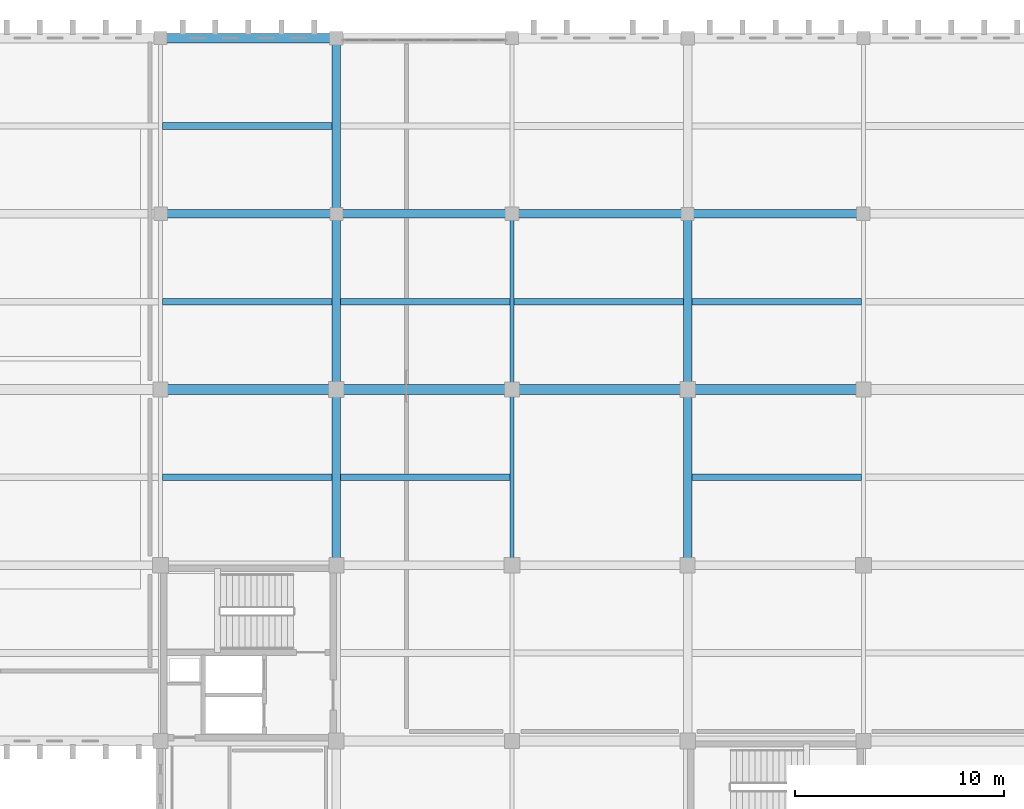
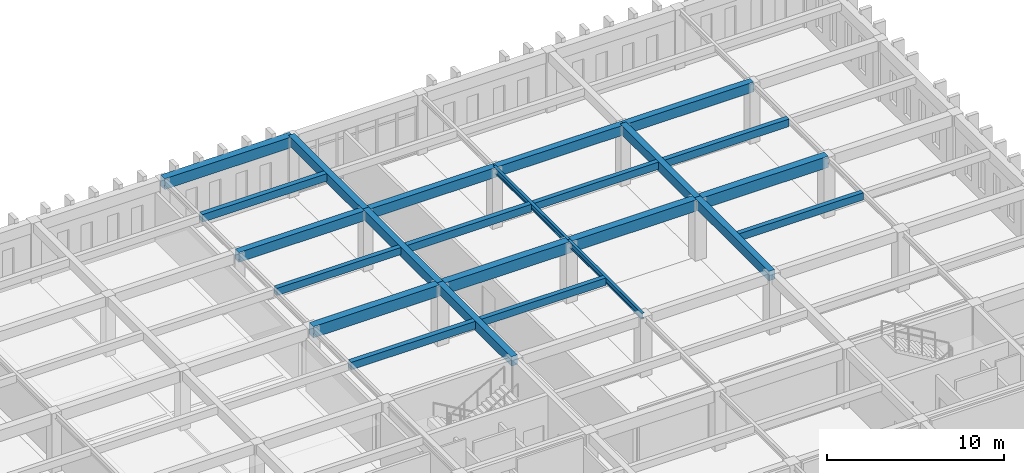
# One storey, part 108 of 192: 24 beams.
"""IFC4 building model written with IfcOpenShell, lengths in metres."""

import ifcopenshell
import ifcopenshell.guid

model = None  # the IFC model being written
_history = None  # IfcOwnerHistory: only IFC2X3 demands one
_inside = {}  # id of a spatial element -> (the spatial element, [elements in it])
_under = {}  # id of a project, library or spatial element -> (it, [spatial elements below it])
_declared = {}  # id of a project -> (the project, [libraries it declares])
_typed = {}  # id of a type object -> (the type object, [elements of that type])
_made_of = {}  # id of a material, layer set ... -> (it, [elements and type objects made of it])


def new_model(schema):
    """Start an empty IFC model of exactly this schema.

    Asked for "IFC4X3", IfcOpenShell would pick the latest addendum, in which some entities
    have other attributes; the version numbers below select the first issue.
    IFC2X3 requires an IfcOwnerHistory on every rooted entity: one is made here for all.
    """
    global model, _history
    if schema == "IFC4X3":
        model = ifcopenshell.file(schema_version=(4, 3, 0, 0))
    else:
        model = ifcopenshell.file(schema=schema)
    _inside.clear()
    _under.clear()
    _declared.clear()
    _typed.clear()
    _made_of.clear()
    _history = None
    if model.schema == "IFC2X3":
        org = make("IfcOrganization", Name="unknown")
        user = make(
            "IfcPersonAndOrganization",
            ThePerson=make("IfcPerson", FamilyName="unknown"),
            TheOrganization=org,
        )
        app = make(
            "IfcApplication",
            ApplicationDeveloper=org,
            Version="unknown",
            ApplicationFullName="unknown",
            ApplicationIdentifier="unknown",
        )
        _history = make(
            "IfcOwnerHistory",
            OwningUser=user,
            OwningApplication=app,
            ChangeAction="ADDED",
            CreationDate=0,
        )
    return model


def make(cls, **values):
    """One entity of the class cls with the attributes given. An attribute that is None is left unset."""
    return model.create_entity(
        cls, **{name: value for name, value in values.items() if value is not None}
    )


def rooted(cls, **values):
    """An entity with a GlobalId (a new one), such as an element, a storey or a relation."""
    return make(cls, GlobalId=ifcopenshell.guid.new(), OwnerHistory=_history, **values)


def si_unit(unit_type, name, prefix=None):
    """IfcSIUnit, for example si_unit("LENGTHUNIT", "METRE", prefix="MILLI")."""
    return make("IfcSIUnit", UnitType=unit_type, Prefix=prefix, Name=name)


def assignment(units):
    """IfcUnitAssignment: the units of a project."""
    return None if units is None else make("IfcUnitAssignment", Units=units)


def point(xyz):
    """IfcCartesianPoint."""
    return None if xyz is None else make("IfcCartesianPoint", Coordinates=xyz)


def direction(xyz):
    """IfcDirection."""
    return None if xyz is None else make("IfcDirection", DirectionRatios=xyz)


def frame(location, z_axis=None, x_axis=None):
    """IfcAxis2Placement3D, a coordinate frame: its origin and axes. An axis left out is left unset."""
    return make(
        "IfcAxis2Placement3D",
        Location=point(location),
        Axis=direction(z_axis),
        RefDirection=direction(x_axis),
    )


def frame_2d(location, x_axis=None):
    """IfcAxis2Placement2D, a coordinate frame in the plane: its origin and x axis."""
    return make(
        "IfcAxis2Placement2D", Location=point(location), RefDirection=direction(x_axis)
    )


def origin():
    """The frame at (0, 0, 0) with its axes left unset."""
    return frame((0.0, 0.0, 0.0))


def origin_2d():
    """The frame at (0, 0) in the plane with its x axis left unset."""
    return frame_2d((0.0, 0.0))


def place(relative_to, where):
    """IfcLocalPlacement: puts the frame where relative to a parent placement (None: the world)."""
    return make(
        "IfcLocalPlacement", PlacementRelTo=relative_to, RelativePlacement=where
    )


def context(
    kind, dimensions, precision=None, world=None, true_north=None, identifier=None
):
    """IfcGeometricRepresentationContext, for example the 3D "Model" context."""
    return make(
        "IfcGeometricRepresentationContext",
        ContextIdentifier=identifier,
        ContextType=kind,
        CoordinateSpaceDimension=dimensions,
        Precision=precision,
        WorldCoordinateSystem=world,
        TrueNorth=true_north,
    )


def subcontext(parent, identifier, kind, view, scale=None):
    """IfcGeometricRepresentationSubContext, for example "Body" below "Model"."""
    return make(
        "IfcGeometricRepresentationSubContext",
        ContextIdentifier=identifier,
        ContextType=kind,
        ParentContext=parent,
        TargetScale=scale,
        TargetView=view,
    )


def project(units=None, contexts=None):
    """IfcProject with its units and contexts."""
    return rooted(
        "IfcProject",
        Name="project",
        RepresentationContexts=contexts,
        UnitsInContext=assignment(units),
    )


def spatial(cls, under=None, at=None, **own):
    """A site, building, storey or space (cls), placed at a placement, below another one or the project."""
    s = rooted(cls, ObjectPlacement=at, **own)
    if under is not None:
        _under.setdefault(under.id(), (under, []))[1].append(s)
    return s


def profile(cls, at=None, kind="AREA", **sizes):
    """A parametric profile (cls). Its sizes go by their IFC names, for example OverallWidth=200.0."""
    return make(cls, ProfileType=kind, Position=at, **sizes)


def rectangle(**sizes):
    """IfcRectangleProfileDef."""
    return profile("IfcRectangleProfileDef", **sizes)


def i_section(**sizes):
    """IfcIShapeProfileDef."""
    return profile("IfcIShapeProfileDef", **sizes)


def extrude(swept, where, along, depth):
    """IfcExtrudedAreaSolid: the profile swept, set in the frame where, extruded along a direction by depth."""
    return make(
        "IfcExtrudedAreaSolid",
        SweptArea=swept,
        Position=where,
        ExtrudedDirection=direction(along),
        Depth=depth,
    )


def shape(context_of_items, identifier, shape_type, items):
    """IfcShapeRepresentation: the items that make up one representation, for example the "Body"."""
    return make(
        "IfcShapeRepresentation",
        ContextOfItems=context_of_items,
        RepresentationIdentifier=identifier,
        RepresentationType=shape_type,
        Items=items,
    )


def material(Name=None, Category=None):
    """IfcMaterial."""
    return make("IfcMaterial", Name=Name, Category=Category)


def material_profile(
    of_material, cross_section, Name=None, Category=None, Priority=None
):
    """IfcMaterialProfile: a cross section and its material."""
    return make(
        "IfcMaterialProfile",
        Name=Name,
        Material=of_material,
        Profile=cross_section,
        Priority=Priority,
        Category=Category,
    )


def profile_set(profiles, Name=None, composite=None):
    """IfcMaterialProfileSet."""
    return make(
        "IfcMaterialProfileSet",
        Name=Name,
        MaterialProfiles=profiles,
        CompositeProfile=composite,
    )


def made_of(thing, what):
    """Note that an element or type object is made of a material, layer set ...; save() writes the relation."""
    if what is not None:
        _made_of.setdefault(what.id(), (what, []))[1].append(thing)
    return thing


def type_object(cls, material=None, **own):
    """A type object (cls), such as IfcWallType, which elements share."""
    return made_of(rooted(cls, **own), material)


def element(
    cls,
    number,
    at=None,
    inside=None,
    cuts=None,
    type_object=None,
    material=None,
    context=None,
    identifier="Body",
    shape_type=None,
    held_by="IfcProductDefinitionShape",
    body=None,
    shapes=None,
    **own,
):
    """One element of the class cls, such as IfcWall. Its Tag is "e" and its number.

    at: its placement. inside: the storey or other place that contains it. cuts: it is an
    opening in that element (IfcRelVoidsElement). A single representation is given by context,
    identifier, shape_type and body (its items); several are given by shapes. held_by: the class
    of the entity that holds the representations. save() writes the other relations.
    """
    e = rooted(cls, Tag="e%d" % number, ObjectPlacement=at, **own)
    if body is not None:
        shapes = [shape(context, identifier, shape_type, body)]
    if shapes is not None:
        e.Representation = make(held_by, Representations=shapes)
    if inside is not None:
        _inside.setdefault(inside.id(), (inside, []))[1].append(e)
    if cuts is not None:
        rooted(
            "IfcRelVoidsElement", RelatingBuildingElement=cuts, RelatedOpeningElement=e
        )
    if type_object is not None:
        _typed.setdefault(type_object.id(), (type_object, []))[1].append(e)
    return made_of(e, material)


def aggregate(whole, parts):
    """IfcRelAggregates: a whole, such as a stair, and the parts it consists of."""
    return rooted("IfcRelAggregates", RelatingObject=whole, RelatedObjects=parts)


def save(model, path):
    """Write the relations noted so far, then the file.

    IfcRelAggregates (storeys below a building ...), IfcRelContainedInSpatialStructure (elements
    in a storey), IfcRelDefinesByType, IfcRelAssociatesMaterial and IfcRelDeclares: one each for
    every whole, place, type object, material and project.
    """
    for whole, parts in _under.values():
        aggregate(whole, parts)
    for where, things in _inside.values():
        rooted(
            "IfcRelContainedInSpatialStructure",
            RelatedElements=things,
            RelatingStructure=where,
        )
    for kind, things in _typed.values():
        rooted("IfcRelDefinesByType", RelatedObjects=things, RelatingType=kind)
    for what, things in _made_of.values():
        rooted("IfcRelAssociatesMaterial", RelatedObjects=things, RelatingMaterial=what)
    for by, libraries in _declared.values():
        rooted("IfcRelDeclares", RelatingContext=by, RelatedDefinitions=libraries)
    model.write(path)


model = new_model("IFC4")

# Units and contexts
model_context = context("Model", 3, precision=1e-05, world=origin(), true_north=direction((0.0, 1.0)))
body_context = subcontext(model_context, "Body", "Model", "MODEL_VIEW")
ifc_project = project(units=[si_unit("LENGTHUNIT", "METRE"), si_unit("AREAUNIT", "SQUARE_METRE"), si_unit("VOLUMEUNIT", "CUBIC_METRE"), si_unit("PLANEANGLEUNIT", "RADIAN"), si_unit("MASSUNIT", "GRAM", prefix="KILO")], contexts=[model_context])

# Site, building, storey
site_placement = place(None, origin())
site = spatial("IfcSite", under=ifc_project, at=site_placement, CompositionType="ELEMENT")
building_placement = place(site_placement, origin())
building = spatial("IfcBuilding", under=site, at=building_placement, Name="Kveldsbrygga Polytechnic", CompositionType="ELEMENT")
storey_placement = place(building_placement, frame((0.0, 0.0, 5.43994140625)))
storey = spatial("IfcBuildingStorey", under=building, at=storey_placement, Name="L01", CompositionType="ELEMENT", Elevation=5.43994140625)

# Beams
ifc_material_1 = material(Name="Concrete C35/45", Category="concrete")
ifc_material_profile_1 = material_profile(ifc_material_1, rectangle(XDim=0.39990234375, YDim=0.64990234375, at=origin_2d()), Name="RC 400x650")
ifc_profile_set_1 = profile_set([ifc_material_profile_1], Name="Concrete C35/45")
beam_type_1 = type_object("IfcBeamType", Name="BM-RC-400x650", PredefinedType="BEAM", material=ifc_profile_set_1)
beam_1_placement = place(storey_placement, frame((134.39990234375, 92.39990234375, 3.795166015625), z_axis=(0.0, 1.0, 0.0), x_axis=(-1.0, 0.0, 0.0)))
element("IfcBeam", 1, at=beam_1_placement, inside=storey, type_object=beam_type_1, Name="Primary Beam BMY-L01-16-11to12", PredefinedType="BEAM", context=body_context, shape_type="SweptSolid", body=[
    extrude(rectangle(XDim=0.39990234375, YDim=0.64990234375, at=origin_2d()), origin(), (0.0, 0.0, 1.0), 8.400146484375),
])
beam_2_placement = place(storey_placement, frame((134.39990234375, 100.800048828125, 3.795166015625), z_axis=(0.0, 1.0, 0.0), x_axis=(-1.0, 0.0, 0.0)))
element("IfcBeam", 2, at=beam_2_placement, inside=storey, type_object=beam_type_1, Name="Primary Beam BMY-L01-16-12to13", PredefinedType="BEAM", context=body_context, shape_type="SweptSolid", body=[
    extrude(rectangle(XDim=0.39990234375, YDim=0.64990234375, at=origin_2d()), origin(), (0.0, 0.0, 1.0), 8.39990234375),
])
for number, where, z_axis, x_axis, name in (
    (3, (134.39990234375, 109.199951171875, 3.795166015625), (0.0, 1.0, 0.0), (-1.0, 0.0, 0.0), "Primary Beam BMY-L01-16-13to14"),
    (4, (151.199951171875, 92.39990234375, 3.795166015625), (0.0, 1.0, 0.0), (-1.0, 0.0, 0.0), "Primary Beam BMY-L01-18-11to12"),
):
    element("IfcBeam", number, at=place(storey_placement, frame(where, z_axis=z_axis, x_axis=x_axis)), inside=storey, type_object=beam_type_1, Name=name, PredefinedType="BEAM", context=body_context, shape_type="SweptSolid", body=[
        extrude(rectangle(XDim=0.39990234375, YDim=0.64990234375, at=origin_2d()), origin(), (0.0, 0.0, 1.0), 8.400146484375),
    ])
beam_3_placement = place(storey_placement, frame((151.199951171875, 100.800048828125, 3.795166015625), z_axis=(0.0, 1.0, 0.0), x_axis=(-1.0, 0.0, 0.0)))
element("IfcBeam", 5, at=beam_3_placement, inside=storey, type_object=beam_type_1, Name="Primary Beam BMY-L01-18-12to13", PredefinedType="BEAM", context=body_context, shape_type="SweptSolid", body=[
    extrude(rectangle(XDim=0.39990234375, YDim=0.64990234375, at=origin_2d()), origin(), (0.0, 0.0, 1.0), 8.39990234375),
])
ifc_material_profile_2 = material_profile(ifc_material_1, rectangle(XDim=0.419921875, YDim=0.679931640625, at=origin_2d()), Name="RC 420x680")
ifc_profile_set_2 = profile_set([ifc_material_profile_2], Name="Concrete C35/45")
beam_type_2 = type_object("IfcBeamType", Name="BM-RC-420x680", PredefinedType="BEAM", material=ifc_profile_set_2)
beam_4_placement = place(storey_placement, frame((126.0, 109.199951171875, 3.780029296875), z_axis=(1.0, 0.0, 0.0), x_axis=(0.0, 1.0, 0.0)))
element("IfcBeam", 6, at=beam_4_placement, inside=storey, type_object=beam_type_2, Name="Primary Beam BMX-L01-15to16-13", PredefinedType="BEAM", context=body_context, shape_type="SweptSolid", body=[
    extrude(rectangle(XDim=0.419921875, YDim=0.679931640625, at=origin_2d()), origin(), (0.0, 0.0, 1.0), 8.39990234375),
])
beam_5_placement = place(storey_placement, frame((134.39990234375, 109.199951171875, 3.780029296875), z_axis=(1.0, 0.0, 0.0), x_axis=(0.0, 1.0, 0.0)))
element("IfcBeam", 7, at=beam_5_placement, inside=storey, type_object=beam_type_2, Name="Primary Beam BMX-L01-16to17-13", PredefinedType="BEAM", context=body_context, shape_type="SweptSolid", body=[
    extrude(rectangle(XDim=0.419921875, YDim=0.679931640625, at=origin_2d()), origin(), (0.0, 0.0, 1.0), 8.400146484375),
])
beam_6_placement = place(storey_placement, frame((142.800048828125, 109.199951171875, 3.780029296875), z_axis=(1.0, 0.0, 0.0), x_axis=(0.0, 1.0, 0.0)))
element("IfcBeam", 8, at=beam_6_placement, inside=storey, type_object=beam_type_2, Name="Primary Beam BMX-L01-17to18-13", PredefinedType="BEAM", context=body_context, shape_type="SweptSolid", body=[
    extrude(rectangle(XDim=0.419921875, YDim=0.679931640625, at=origin_2d()), origin(), (0.0, 0.0, 1.0), 8.39990234375),
])
beam_7_placement = place(storey_placement, frame((151.199951171875, 109.199951171875, 3.780029296875), z_axis=(1.0, 0.0, 0.0), x_axis=(0.0, 1.0, 0.0)))
element("IfcBeam", 9, at=beam_7_placement, inside=storey, type_object=beam_type_2, Name="Primary Beam BMX-L01-18to19-13", PredefinedType="BEAM", context=body_context, shape_type="SweptSolid", body=[
    extrude(rectangle(XDim=0.419921875, YDim=0.679931640625, at=origin_2d()), origin(), (0.0, 0.0, 1.0), 8.400146484375),
])
ifc_material_profile_3 = material_profile(ifc_material_1, rectangle(XDim=0.4599609375, YDim=0.739990234375, at=origin_2d()), Name="RC 460x740")
ifc_profile_set_3 = profile_set([ifc_material_profile_3], Name="Concrete C35/45")
beam_type_3 = type_object("IfcBeamType", Name="BM-RC-460x740", PredefinedType="BEAM", material=ifc_profile_set_3)
beam_8_placement = place(storey_placement, frame((126.0, 117.60009765625, 3.75), z_axis=(1.0, 0.0, 0.0), x_axis=(0.0, 1.0, 0.0)))
element("IfcBeam", 10, at=beam_8_placement, inside=storey, type_object=beam_type_3, Name="Primary Beam BMX-L01-15to16-14", PredefinedType="BEAM", context=body_context, shape_type="SweptSolid", body=[
    extrude(rectangle(XDim=0.4599609375, YDim=0.739990234375, at=origin_2d()), origin(), (0.0, 0.0, 1.0), 8.39990234375),
])
ifc_material_profile_4 = material_profile(ifc_material_1, rectangle(XDim=0.47998046875, YDim=0.780029296875, at=origin_2d()), Name="RC 480x780")
ifc_profile_set_4 = profile_set([ifc_material_profile_4], Name="Concrete C35/45")
beam_type_4 = type_object("IfcBeamType", Name="BM-RC-480x780", PredefinedType="BEAM", material=ifc_profile_set_4)
beam_9_placement = place(storey_placement, frame((126.0, 100.800048828125, 3.72998046875), z_axis=(1.0, 0.0, 0.0), x_axis=(0.0, 1.0, 0.0)))
element("IfcBeam", 11, at=beam_9_placement, inside=storey, type_object=beam_type_4, Name="Primary Beam BMX-L01-15to16-12", PredefinedType="BEAM", context=body_context, shape_type="SweptSolid", body=[
    extrude(rectangle(XDim=0.47998046875, YDim=0.780029296875, at=origin_2d()), origin(), (0.0, 0.0, 1.0), 8.39990234375),
])
beam_10_placement = place(storey_placement, frame((134.39990234375, 100.800048828125, 3.72998046875), z_axis=(1.0, 0.0, 0.0), x_axis=(0.0, 1.0, 0.0)))
element("IfcBeam", 12, at=beam_10_placement, inside=storey, type_object=beam_type_4, Name="Primary Beam BMX-L01-16to17-12", PredefinedType="BEAM", context=body_context, shape_type="SweptSolid", body=[
    extrude(rectangle(XDim=0.47998046875, YDim=0.780029296875, at=origin_2d()), origin(), (0.0, 0.0, 1.0), 8.400146484375),
])
beam_11_placement = place(storey_placement, frame((142.800048828125, 100.800048828125, 3.72998046875), z_axis=(1.0, 0.0, 0.0), x_axis=(0.0, 1.0, 0.0)))
element("IfcBeam", 13, at=beam_11_placement, inside=storey, type_object=beam_type_4, Name="Primary Beam BMX-L01-17to18-12", PredefinedType="BEAM", context=body_context, shape_type="SweptSolid", body=[
    extrude(rectangle(XDim=0.47998046875, YDim=0.780029296875, at=origin_2d()), origin(), (0.0, 0.0, 1.0), 8.39990234375),
])
beam_12_placement = place(storey_placement, frame((151.199951171875, 100.800048828125, 3.72998046875), z_axis=(1.0, 0.0, 0.0), x_axis=(0.0, 1.0, 0.0)))
element("IfcBeam", 14, at=beam_12_placement, inside=storey, type_object=beam_type_4, Name="Primary Beam BMX-L01-18to19-12", PredefinedType="BEAM", context=body_context, shape_type="SweptSolid", body=[
    extrude(rectangle(XDim=0.47998046875, YDim=0.780029296875, at=origin_2d()), origin(), (0.0, 0.0, 1.0), 8.400146484375),
])
ifc_material_2 = material(Name="Steel S355", Category="steel")
ifc_material_profile_5 = material_profile(ifc_material_2, i_section(OverallWidth=0.179931640625, OverallDepth=0.39990234375, WebThickness=0.008544921875, FlangeThickness=0.013427734375, FilletRadius=0.02099609375, at=origin_2d()), Name="IPE 400")
ifc_profile_set_5 = profile_set([ifc_material_profile_5], Name="Steel S355")
beam_type_5 = type_object("IfcBeamType", Name="BM-STL-IPE400", PredefinedType="BEAM", material=ifc_profile_set_5)
beam_13_placement = place(storey_placement, frame((142.800048828125, 92.39990234375, 3.920166015625), z_axis=(0.0, 1.0, 0.0), x_axis=(-1.0, 0.0, 0.0)))
element("IfcBeam", 15, at=beam_13_placement, inside=storey, type_object=beam_type_5, Name="Primary Beam BMY-L01-17-11to12", PredefinedType="BEAM", context=body_context, shape_type="SweptSolid", body=[
    extrude(i_section(OverallWidth=0.179931640625, OverallDepth=0.39990234375, WebThickness=0.008544921875, FlangeThickness=0.013427734375, FilletRadius=0.02099609375, at=origin_2d()), origin(), (0.0, 0.0, 1.0), 8.400146484375),
])
beam_14_placement = place(storey_placement, frame((142.800048828125, 100.800048828125, 3.920166015625), z_axis=(0.0, 1.0, 0.0), x_axis=(-1.0, 0.0, 0.0)))
element("IfcBeam", 16, at=beam_14_placement, inside=storey, type_object=beam_type_5, Name="Primary Beam BMY-L01-17-12to13", PredefinedType="BEAM", context=body_context, shape_type="SweptSolid", body=[
    extrude(i_section(OverallWidth=0.179931640625, OverallDepth=0.39990234375, WebThickness=0.008544921875, FlangeThickness=0.013427734375, FilletRadius=0.02099609375, at=origin_2d()), origin(), (0.0, 0.0, 1.0), 8.39990234375),
])
ifc_material_profile_6 = material_profile(ifc_material_1, rectangle(XDim=0.300048828125, YDim=0.5, at=origin_2d()), Name="RC 300x500")
ifc_profile_set_6 = profile_set([ifc_material_profile_6], Name="Concrete C35/45")
beam_type_6 = type_object("IfcBeamType", Name="JST-RC-300x500", PredefinedType="JOIST", material=ifc_profile_set_6)
for number, where, z_axis, x_axis, name in (
    (17, (126.090087890625, 105.0, 3.8701171875), (1.0, 0.0, 0.0), (0.0, 1.0, 0.0), "Secondary Joist JST-L01-15-12"),
    (18, (134.60009765625, 96.60009765625, 3.8701171875), (1.0, 0.0, 0.0), (0.0, 1.0, 0.0), "Secondary Joist JST-L01-16-11"),
):
    element("IfcBeam", number, at=place(storey_placement, frame(where, z_axis=z_axis, x_axis=x_axis)), inside=storey, type_object=beam_type_6, Name=name, PredefinedType="JOIST", context=body_context, shape_type="SweptSolid", body=[
        extrude(rectangle(XDim=0.300048828125, YDim=0.5, at=origin_2d()), origin(), (0.0, 0.0, 1.0), 8.10986328125),
    ])
for number, where, z_axis, x_axis, name in (
    (19, (142.889892578125, 105.0, 3.8701171875), (1.0, 0.0, 0.0), (0.0, 1.0, 0.0), "Secondary Joist JST-L01-17-12"),
    (20, (151.39990234375, 96.60009765625, 3.8701171875), (1.0, 0.0, 0.0), (0.0, 1.0, 0.0), "Secondary Joist JST-L01-18-11"),
):
    element("IfcBeam", number, at=place(storey_placement, frame(where, z_axis=z_axis, x_axis=x_axis)), inside=storey, type_object=beam_type_6, Name=name, PredefinedType="JOIST", context=body_context, shape_type="SweptSolid", body=[
        extrude(rectangle(XDim=0.300048828125, YDim=0.5, at=origin_2d()), origin(), (0.0, 0.0, 1.0), 8.110107421875),
    ])
ifc_material_profile_7 = material_profile(ifc_material_1, rectangle(XDim=0.320068359375, YDim=0.52001953125, at=origin_2d()), Name="RC 320x520")
ifc_profile_set_7 = profile_set([ifc_material_profile_7], Name="Concrete C35/45")
beam_type_7 = type_object("IfcBeamType", Name="JST-RC-320x520", PredefinedType="JOIST", material=ifc_profile_set_7)
for number, where, z_axis, x_axis, name in (
    (21, (126.090087890625, 96.60009765625, 3.860107421875), (1.0, 0.0, 0.0), (0.0, 1.0, 0.0), "Secondary Joist JST-L01-15-11"),
    (22, (126.090087890625, 113.39990234375, 3.860107421875), (1.0, 0.0, 0.0), (0.0, 1.0, 0.0), "Secondary Joist JST-L01-15-13"),
    (23, (134.60009765625, 105.0, 3.860107421875), (1.0, 0.0, 0.0), (0.0, 1.0, 0.0), "Secondary Joist JST-L01-16-12"),
):
    element("IfcBeam", number, at=place(storey_placement, frame(where, z_axis=z_axis, x_axis=x_axis)), inside=storey, type_object=beam_type_7, Name=name, PredefinedType="JOIST", context=body_context, shape_type="SweptSolid", body=[
        extrude(rectangle(XDim=0.320068359375, YDim=0.52001953125, at=origin_2d()), origin(), (0.0, 0.0, 1.0), 8.10986328125),
    ])
beam_15_placement = place(storey_placement, frame((151.39990234375, 105.0, 3.860107421875), z_axis=(1.0, 0.0, 0.0), x_axis=(0.0, 1.0, 0.0)))
element("IfcBeam", 24, at=beam_15_placement, inside=storey, type_object=beam_type_7, Name="Secondary Joist JST-L01-18-12", PredefinedType="JOIST", context=body_context, shape_type="SweptSolid", body=[
    extrude(rectangle(XDim=0.320068359375, YDim=0.52001953125, at=origin_2d()), origin(), (0.0, 0.0, 1.0), 8.110107421875),
])

save(model, "model.ifc")
